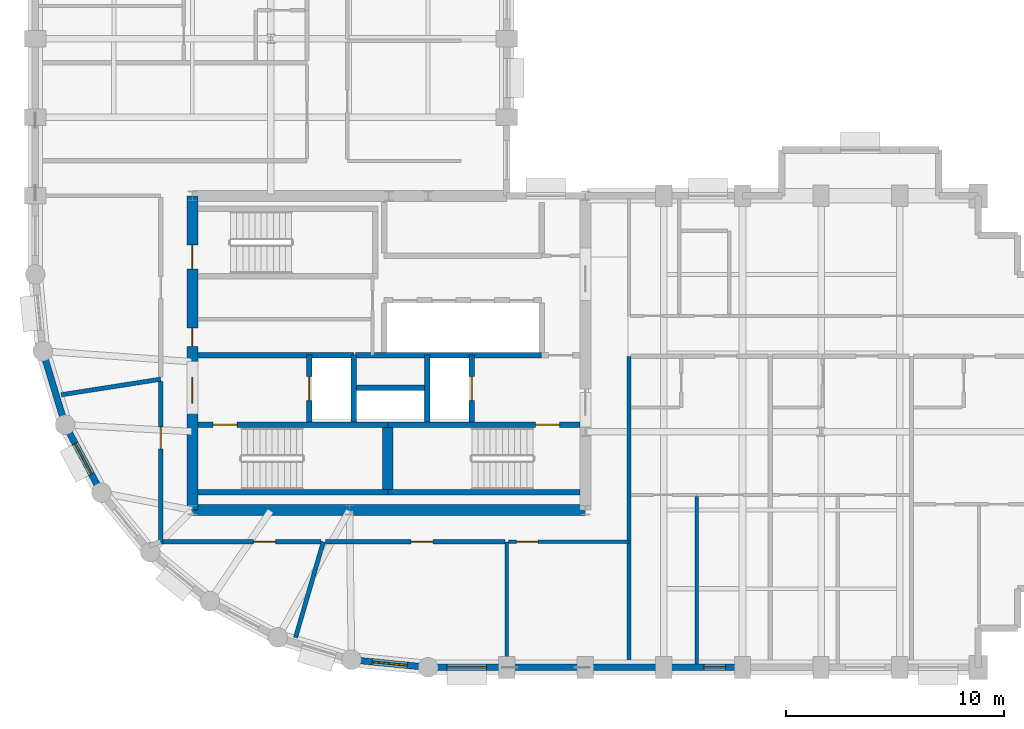
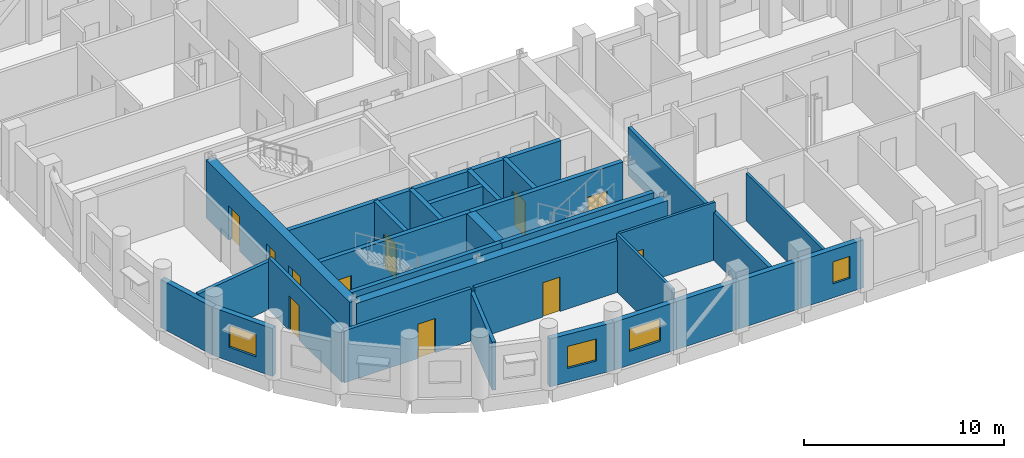
# One storey, part 3 of 9: 30 walls, 11 doors, 4 windows, 15 openings.
"""IFC4 building model written with IfcOpenShell, lengths in metres."""

from ifc_helpers import new_model, si_unit, direction, frame, frame_2d, origin, place, context, subcontext, project, spatial, rectangle, extrude, material, layer, layer_set, type_object, element, fill, save


model = new_model("IFC4")

# Units and contexts
model_context = context("Model", 3, precision=1e-05, world=origin(), true_north=direction((0.0, 1.0)))
body_context = subcontext(model_context, "Body", "Model", "MODEL_VIEW")
ifc_project = project(units=[si_unit("LENGTHUNIT", "METRE"), si_unit("AREAUNIT", "SQUARE_METRE"), si_unit("VOLUMEUNIT", "CUBIC_METRE"), si_unit("PLANEANGLEUNIT", "RADIAN"), si_unit("MASSUNIT", "GRAM", prefix="KILO")], contexts=[model_context])

# Site, building, storey
site_placement = place(None, origin())
site = spatial("IfcSite", under=ifc_project, at=site_placement, CompositionType="ELEMENT")
building_placement = place(site_placement, origin())
building = spatial("IfcBuilding", under=site, at=building_placement, Name="Solnavia Interchange Tower", CompositionType="ELEMENT")
storey_placement = place(building_placement, frame((0.0, 0.0, 142.800048828125)))
storey = spatial("IfcBuildingStorey", under=building, at=storey_placement, Name="L35", CompositionType="ELEMENT", Elevation=142.800048828125)

# Walls
ifc_material_1 = material(Name="Gypsum Acoustic Twin-Stud & Mineral Wool", Category="gypsum")
ifc_layer_1 = layer(ifc_material_1, 0.199951171875)
ifc_layer_set_1 = layer_set([ifc_layer_1], Name="Gypsum Acoustic Twin-Stud & Mineral Wool")
wall_type_1 = type_object("IfcWallType", Name="Wall-ApartmentParty-200", PredefinedType="PARTITIONING", material=ifc_layer_set_1)
wall_1_placement = place(storey_placement, frame((12.949951171875, 16.800048828125, 0.0), z_axis=(0.0, 0.0, 1.0), x_axis=(-0.987973652082, -0.154622323068, 0.0)))
element("IfcWall", 1, at=wall_1_placement, inside=storey, type_object=wall_type_1, Name="PTW-L35-09 Interior partition wall", PredefinedType="PARTITIONING", context=body_context, shape_type="SweptSolid", body=[
    extrude(rectangle(XDim=4.612060546875, YDim=0.199951171875, at=frame_2d((2.30615234375, 0.0))), origin(), (0.0, 0.0, 1.0), 2.929931640625),
])
wall_2_placement = place(storey_placement, frame((20.39990234375, 9.35009765625, 0.0), z_axis=(0.0, 0.0, 1.0), x_axis=(-0.279158408615, -0.960245063981, 0.0)))
element("IfcWall", 2, at=wall_2_placement, inside=storey, type_object=wall_type_1, Name="PTW-L35-11 Interior partition wall", PredefinedType="PARTITIONING", context=body_context, shape_type="SweptSolid", body=[
    extrude(rectangle(XDim=4.56787109375, YDim=0.199951171875, at=frame_2d((2.283935546875, 0.0))), origin(), (0.0, 0.0, 1.0), 2.929931640625),
])

# Wall, opening, door
wall_3_placement = place(storey_placement, frame((12.949951171875, 9.35009765625, 0.0), z_axis=(0.0, 0.0, 1.0), x_axis=(0.0, 1.0, 0.0)))
wall_3 = element("IfcWall", 3, at=wall_3_placement, inside=storey, type_object=wall_type_1, Name="PTW-L35-13 Interior partition wall", PredefinedType="PARTITIONING", context=body_context, shape_type="SweptSolid", body=[
    extrude(rectangle(XDim=7.345947265625, YDim=0.199951171875, at=frame_2d((3.6728515625, 0.0))), origin(), (0.0, 0.0, 1.0), 3.169921875),
])
opening_1_placement = place(wall_3_placement, frame((4.260986328125, 0.0, 0.0)))
opening_1 = element("IfcOpeningElement", 4, at=opening_1_placement, cuts=wall_3, Name="Opening DR-07", PredefinedType="OPENING", context=body_context, shape_type="SweptSolid", body=[
    extrude(rectangle(XDim=1.0, YDim=2.10009765625, at=frame_2d((0.5, 1.050048828125))), frame((0.0, 0.10986328125, 0.0), z_axis=(0.0, -1.0, 0.0), x_axis=(1.0, 0.0, 0.0)), (0.0, 0.0, 1.0), 0.219970703125),
])
ifc_material_2 = material(Name="Timber & Acoustic Glazed Office Door", Category="wood")
door_type_1 = type_object("IfcDoorType", Name="Door-Office-1000x2100", OperationType="SINGLE_SWING_RIGHT", PredefinedType="DOOR", material=ifc_material_2)
door_1_placement = place(opening_1_placement, origin())
door_1 = element("IfcDoor", 5, at=door_1_placement, inside=storey, type_object=door_type_1, Name="DR-L35-04 Interior room door", OperationType="SINGLE_SWING_RIGHT", OverallHeight=2.10009765625, OverallWidth=1.0, PredefinedType="DOOR", context=body_context, shape_type="SweptSolid", body=[
    extrude(rectangle(XDim=1.0, YDim=2.10009765625, at=frame_2d((0.5, 1.050048828125))), frame((0.0, 0.02490234375, 0.0), z_axis=(0.0, -1.0, 0.0), x_axis=(1.0, 0.0, 0.0)), (0.0, 0.0, 1.0), 0.050048828125),
])
fill(opening_1, door_1)

wall_4_placement = place(storey_placement, frame((12.949951171875, 9.35009765625, 0.0), z_axis=(0.0, 0.0, 1.0), x_axis=(1.0, 0.0, 0.0)))
wall_4 = element("IfcWall", 6, at=wall_4_placement, inside=storey, type_object=wall_type_1, Name="PTW-L35-14 Interior partition wall", PredefinedType="PARTITIONING", context=body_context, shape_type="SweptSolid", body=[
    extrude(rectangle(XDim=7.345947265625, YDim=0.199951171875, at=frame_2d((3.6728515625, 0.0))), origin(), (0.0, 0.0, 1.0), 3.179931640625),
])
opening_2_placement = place(wall_4_placement, frame((4.260986328125, 0.0, 0.0)))
opening_2 = element("IfcOpeningElement", 7, at=opening_2_placement, cuts=wall_4, Name="Opening DR-07", PredefinedType="OPENING", context=body_context, shape_type="SweptSolid", body=[
    extrude(rectangle(XDim=1.0, YDim=2.10009765625, at=frame_2d((0.5, 1.050048828125))), frame((0.0, 0.10986328125, 0.0), z_axis=(0.0, -1.0, 0.0), x_axis=(1.0, 0.0, 0.0)), (0.0, 0.0, 1.0), 0.219970703125),
])
door_2_placement = place(opening_2_placement, origin())
door_2 = element("IfcDoor", 8, at=door_2_placement, inside=storey, type_object=door_type_1, Name="DR-L35-05 Interior room door", OperationType="SINGLE_SWING_LEFT", OverallHeight=2.10009765625, OverallWidth=1.0, PredefinedType="DOOR", context=body_context, shape_type="SweptSolid", body=[
    extrude(rectangle(XDim=1.0, YDim=2.10009765625, at=frame_2d((0.5, 1.050048828125))), frame((0.0, 0.02490234375, 0.0), z_axis=(0.0, -1.0, 0.0), x_axis=(1.0, 0.0, 0.0)), (0.0, 0.0, 1.0), 0.050048828125),
])
fill(opening_2, door_2)

wall_5_placement = place(storey_placement, frame((20.50390625, 9.35009765625, 0.0), z_axis=(0.0, 0.0, 1.0), x_axis=(1.0, 0.0, 0.0)))
wall_5 = element("IfcWall", 9, at=wall_5_placement, inside=storey, type_object=wall_type_1, Name="PTW-L35-15 Interior partition wall", PredefinedType="PARTITIONING", context=body_context, shape_type="SweptSolid", body=[
    extrude(rectangle(XDim=8.217041015625, YDim=0.199951171875, at=frame_2d((4.1083984375, 0.0))), origin(), (0.0, 0.0, 1.0), 3.169921875),
])
opening_3_placement = place(wall_5_placement, frame((3.9140625, 0.0, 0.0)))
opening_3 = element("IfcOpeningElement", 10, at=opening_3_placement, cuts=wall_5, Name="Opening DR-07", PredefinedType="OPENING", context=body_context, shape_type="SweptSolid", body=[
    extrude(rectangle(XDim=1.0, YDim=2.10009765625, at=frame_2d((0.5, 1.050048828125))), frame((0.0, 0.10986328125, 0.0), z_axis=(0.0, -1.0, 0.0), x_axis=(1.0, 0.0, 0.0)), (0.0, 0.0, 1.0), 0.219970703125),
])
door_3_placement = place(opening_3_placement, origin())
door_3 = element("IfcDoor", 11, at=door_3_placement, inside=storey, type_object=door_type_1, Name="DR-L35-06 Interior room door", OperationType="SINGLE_SWING_RIGHT", OverallHeight=2.10009765625, OverallWidth=1.0, PredefinedType="DOOR", context=body_context, shape_type="SweptSolid", body=[
    extrude(rectangle(XDim=1.0, YDim=2.10009765625, at=frame_2d((0.5, 1.050048828125))), frame((0.0, 0.02490234375, 0.0), z_axis=(0.0, -1.0, 0.0), x_axis=(1.0, 0.0, 0.0)), (0.0, 0.0, 1.0), 0.050048828125),
])
fill(opening_3, door_3)

# Wall
wall_6_placement = place(storey_placement, frame((34.39990234375, 3.75390625, 0.0), z_axis=(0.0, 0.0, 1.0), x_axis=(0.0, 1.0, 0.0)))
element("IfcWall", 12, at=wall_6_placement, inside=storey, type_object=wall_type_1, Name="PTW-L35-17 Interior partition wall", PredefinedType="PARTITIONING", context=body_context, shape_type="SweptSolid", body=[
    extrude(rectangle(XDim=14.09619140625, YDim=0.199951171875, at=frame_2d((7.048095703125, 0.0))), origin(), (0.0, 0.0, 1.0), 2.929931640625),
])

# Wall, opening, window
ifc_material_3 = material(Name="Concrete C40/50", Category="concrete")
ifc_layer_2 = layer(ifc_material_3, 0.300048828125)
ifc_layer_set_2 = layer_set([ifc_layer_2], Name="Concrete C40/50")
wall_type_2 = type_object("IfcWallType", Name="Wall-ExtSpandrel-300", PredefinedType="STANDARD", material=ifc_layer_set_2)
wall_7_placement = place(storey_placement, frame((28.800048828125, 3.60009765625, 0.0), z_axis=(0.0, 0.0, 1.0), x_axis=(-1.0, 0.0, 0.0)))
wall_7 = element("IfcWall", 13, at=wall_7_placement, inside=storey, type_object=wall_type_2, Name="EXW-L35-01 Exterior precast spandrel wall", PredefinedType="STANDARD", context=body_context, shape_type="SweptSolid", body=[
    extrude(rectangle(XDim=3.60009765625, YDim=0.300048828125, at=frame_2d((1.800048828125, 0.0))), origin(), (0.0, 0.0, 1.0), 2.929931640625),
])
opening_4_placement = place(wall_7_placement, frame((0.925048828125, 0.0, 0.85009765625)))
opening_4 = element("IfcOpeningElement", 14, at=opening_4_placement, cuts=wall_7, Name="Opening WIN-02", PredefinedType="OPENING", context=body_context, shape_type="SweptSolid", body=[
    extrude(rectangle(XDim=1.800048828125, YDim=1.35009765625, at=frame_2d((0.89990234375, 0.675048828125))), frame((0.0, 0.16015625, 0.0), z_axis=(0.0, -1.0, 0.0), x_axis=(1.0, 0.0, 0.0)), (0.0, 0.0, 1.0), 0.320068359375),
])
ifc_material_4 = material(Name="Thermal-Break Aluminium & Low-E Glass", Category="aluminium")
window_type_1 = type_object("IfcWindowType", Name="Window-Ribbon-1800x1350", PartitioningType="SINGLE_PANEL", PredefinedType="WINDOW", material=ifc_material_4)
window_1_placement = place(opening_4_placement, origin())
window_1 = element("IfcWindow", 15, at=window_1_placement, inside=storey, type_object=window_type_1, Name="WIN-L35-01 Facade ribbon window", OverallHeight=1.35009765625, OverallWidth=1.800048828125, PartitioningType="SINGLE_PANEL", PredefinedType="WINDOW", context=body_context, shape_type="SweptSolid", body=[
    extrude(rectangle(XDim=1.800048828125, YDim=1.35009765625, at=frame_2d((0.89990234375, 0.675048828125))), frame((0.0, 0.030029296875, 0.0), z_axis=(0.0, -1.0, 0.0), x_axis=(1.0, 0.0, 0.0)), (0.0, 0.0, 1.0), 0.06005859375),
])
fill(opening_4, window_1)

# Walls
wall_8_placement = place(storey_placement, frame((32.39990234375, 3.60009765625, 0.0), z_axis=(0.0, 0.0, 1.0), x_axis=(-1.0, 0.0, 0.0)))
element("IfcWall", 16, at=wall_8_placement, inside=storey, type_object=wall_type_2, Name="EXW-L35-02 Exterior precast spandrel wall", PredefinedType="STANDARD", context=body_context, shape_type="SweptSolid", body=[
    extrude(rectangle(XDim=3.599853515625, YDim=0.300048828125, at=frame_2d((1.7998046875, 0.0))), origin(), (0.0, 0.0, 1.0), 2.929931640625),
])
wall_9_placement = place(storey_placement, frame((36.0, 3.60009765625, 0.0), z_axis=(0.0, 0.0, 1.0), x_axis=(-1.0, 0.0, 0.0)))
element("IfcWall", 17, at=wall_9_placement, inside=storey, type_object=wall_type_2, Name="EXW-L35-03 Exterior precast spandrel wall", PredefinedType="STANDARD", context=body_context, shape_type="SweptSolid", body=[
    extrude(rectangle(XDim=3.60009765625, YDim=0.300048828125, at=frame_2d((1.800048828125, 0.0))), origin(), (0.0, 0.0, 1.0), 2.929931640625),
])

# Wall, opening, window
wall_10_placement = place(storey_placement, frame((39.60009765625, 3.60009765625, 0.0), z_axis=(0.0, 0.0, 1.0), x_axis=(-1.0, 0.0, 0.0)))
wall_10 = element("IfcWall", 18, at=wall_10_placement, inside=storey, type_object=wall_type_2, Name="EXW-L35-04 Exterior precast spandrel wall", PredefinedType="STANDARD", context=body_context, shape_type="SweptSolid", body=[
    extrude(rectangle(XDim=3.60009765625, YDim=0.300048828125, at=frame_2d((1.800048828125, 0.0))), origin(), (0.0, 0.0, 1.0), 2.929931640625),
])
opening_5_placement = place(wall_10_placement, frame((0.76904296875, 0.0, 0.85009765625)))
opening_5 = element("IfcOpeningElement", 19, at=opening_5_placement, cuts=wall_10, Name="Opening WIN-07", PredefinedType="OPENING", context=body_context, shape_type="SweptSolid", body=[
    extrude(rectangle(XDim=1.0, YDim=1.35009765625, at=frame_2d((0.5, 0.675048828125))), frame((0.0, 0.16015625, 0.0), z_axis=(0.0, -1.0, 0.0), x_axis=(1.0, 0.0, 0.0)), (0.0, 0.0, 1.0), 0.320068359375),
])
window_type_2 = type_object("IfcWindowType", Name="Window-Bedroom-1000x1350", PartitioningType="SINGLE_PANEL", PredefinedType="WINDOW", material=ifc_material_4)
window_2_placement = place(opening_5_placement, origin())
window_2 = element("IfcWindow", 20, at=window_2_placement, inside=storey, type_object=window_type_2, Name="WIN-L35-DW01 Dwelling bedroom window", OverallHeight=1.35009765625, OverallWidth=1.0, PartitioningType="SINGLE_PANEL", PredefinedType="WINDOW", context=body_context, shape_type="SweptSolid", body=[
    extrude(rectangle(XDim=1.0, YDim=1.35009765625, at=frame_2d((0.5, 0.675048828125))), frame((0.0, 0.030029296875, 0.0), z_axis=(0.0, -1.0, 0.0), x_axis=(1.0, 0.0, 0.0)), (0.0, 0.0, 1.0), 0.06005859375),
])
fill(opening_5, window_2)

# Wall
wall_11_placement = place(storey_placement, frame((8.570068359375, 14.7119140625, 0.0), z_axis=(0.0, 0.0, 1.0), x_axis=(-0.290305086481, 0.956934144423, 0.0)))
element("IfcWall", 21, at=wall_11_placement, inside=storey, type_object=wall_type_2, Name="EXW-L35-52 Exterior precast spandrel wall", PredefinedType="STANDARD", context=body_context, shape_type="SweptSolid", body=[
    extrude(rectangle(XDim=3.52783203125, YDim=0.300048828125, at=frame_2d((1.763916015625, 0.0))), origin(), (0.0, 0.0, 1.0), 2.929931640625),
])

# Wall, opening, window
wall_12_placement = place(storey_placement, frame((10.23388671875, 11.60009765625, 0.0), z_axis=(0.0, 0.0, 1.0), x_axis=(-0.47151087309, 0.881860247748, 0.0)))
wall_12 = element("IfcWall", 22, at=wall_12_placement, inside=storey, type_object=wall_type_2, Name="EXW-L35-53 Exterior precast spandrel wall", PredefinedType="STANDARD", context=body_context, shape_type="SweptSolid", body=[
    extrude(rectangle(XDim=3.52880859375, YDim=0.300048828125, at=frame_2d((1.764404296875, 0.0))), origin(), (0.0, 0.0, 1.0), 2.929931640625),
])
opening_6_placement = place(wall_12_placement, frame((0.964111328125, 0.0, 0.85009765625)))
opening_6 = element("IfcOpeningElement", 23, at=opening_6_placement, cuts=wall_12, Name="Opening WIN-04", PredefinedType="OPENING", context=body_context, shape_type="SweptSolid", body=[
    extrude(rectangle(XDim=1.60009765625, YDim=1.35009765625, at=frame_2d((0.800048828125, 0.675048828125))), frame((0.0, 0.16015625, 0.0), z_axis=(0.0, -1.0, 0.0), x_axis=(1.0, 0.0, 0.0)), (0.0, 0.0, 1.0), 0.320068359375),
])
window_type_3 = type_object("IfcWindowType", Name="Window-Drum-1600x1350", PartitioningType="SINGLE_PANEL", PredefinedType="WINDOW", material=ifc_material_4)
window_3_placement = place(opening_6_placement, origin())
window_3 = element("IfcWindow", 24, at=window_3_placement, inside=storey, type_object=window_type_3, Name="WIN-L35-53 Facade ribbon window", OverallHeight=1.35009765625, OverallWidth=1.60009765625, PartitioningType="SINGLE_PANEL", PredefinedType="WINDOW", context=body_context, shape_type="SweptSolid", body=[
    extrude(rectangle(XDim=1.60009765625, YDim=1.35009765625, at=frame_2d((0.800048828125, 0.675048828125))), frame((0.0, 0.030029296875, 0.0), z_axis=(0.0, -1.0, 0.0), x_axis=(1.0, 0.0, 0.0)), (0.0, 0.0, 1.0), 0.06005859375),
])
fill(opening_6, window_3)

wall_13_placement = place(storey_placement, frame((25.199951171875, 3.60009765625, 0.0), z_axis=(0.0, 0.0, 1.0), x_axis=(-0.995183369056, 0.098030923459, 0.0)))
wall_13 = element("IfcWall", 25, at=wall_13_placement, inside=storey, type_object=wall_type_2, Name="EXW-L35-58 Exterior precast spandrel wall", PredefinedType="STANDARD", context=body_context, shape_type="SweptSolid", body=[
    extrude(rectangle(XDim=3.529052734375, YDim=0.300048828125, at=frame_2d((1.7646484375, 0.0))), origin(), (0.0, 0.0, 1.0), 2.929931640625),
])
opening_7_placement = place(wall_13_placement, frame((0.965087890625, 0.0, 0.85009765625)))
opening_7 = element("IfcOpeningElement", 26, at=opening_7_placement, cuts=wall_13, Name="Opening WIN-04", PredefinedType="OPENING", context=body_context, shape_type="SweptSolid", body=[
    extrude(rectangle(XDim=1.60009765625, YDim=1.35009765625, at=frame_2d((0.800048828125, 0.675048828125))), frame((0.0, 0.16015625, 0.0), z_axis=(0.0, -1.0, 0.0), x_axis=(1.0, 0.0, 0.0)), (0.0, 0.0, 1.0), 0.320068359375),
])
window_4_placement = place(opening_7_placement, origin())
window_4 = element("IfcWindow", 27, at=window_4_placement, inside=storey, type_object=window_type_3, Name="WIN-L35-58 Facade ribbon window", OverallHeight=1.35009765625, OverallWidth=1.60009765625, PartitioningType="SINGLE_PANEL", PredefinedType="WINDOW", context=body_context, shape_type="SweptSolid", body=[
    extrude(rectangle(XDim=1.60009765625, YDim=1.35009765625, at=frame_2d((0.800048828125, 0.675048828125))), frame((0.0, 0.030029296875, 0.0), z_axis=(0.0, -1.0, 0.0), x_axis=(1.0, 0.0, 0.0)), (0.0, 0.0, 1.0), 0.06005859375),
])
fill(opening_7, window_4)

# Wall
ifc_material_5 = material(Name="Gypsum Plasterboard & Steel Stud", Category="steel")
ifc_layer_3 = layer(ifc_material_5, 0.14990234375)
ifc_layer_set_3 = layer_set([ifc_layer_3], Name="Gypsum Plasterboard & Steel Stud")
wall_type_3 = type_object("IfcWallType", Name="Wall-Partition-150", PredefinedType="PARTITIONING", material=ifc_layer_set_3)
wall_14_placement = place(storey_placement, frame((28.800048828125, 9.35009765625, 0.0), z_axis=(0.0, 0.0, 1.0), x_axis=(0.0, -1.0, 0.0)))
element("IfcWall", 28, at=wall_14_placement, inside=storey, type_object=wall_type_3, Name="PTW-L35-08 Interior partition wall", PredefinedType="PARTITIONING", context=body_context, shape_type="SweptSolid", body=[
    extrude(rectangle(XDim=5.59619140625, YDim=0.14990234375, at=frame_2d((2.798095703125, 0.0))), origin(), (0.0, 0.0, 1.0), 3.534912109375),
])

# Wall, opening, door
wall_15_placement = place(storey_placement, frame((28.87890625, 9.35009765625, 0.0), z_axis=(0.0, 0.0, 1.0), x_axis=(1.0, 0.0, 0.0)))
wall_15 = element("IfcWall", 29, at=wall_15_placement, inside=storey, type_object=wall_type_3, Name="PTW-L35-16 Interior partition wall", PredefinedType="PARTITIONING", context=body_context, shape_type="SweptSolid", body=[
    extrude(rectangle(XDim=5.52099609375, YDim=0.14990234375, at=frame_2d((2.760498046875, 0.0))), origin(), (0.0, 0.0, 1.0), 3.534912109375),
])
opening_8_placement = place(wall_15_placement, frame((0.360107421875, 0.0, 0.0)))
opening_8 = element("IfcOpeningElement", 30, at=opening_8_placement, cuts=wall_15, Name="Opening DR-07", PredefinedType="OPENING", context=body_context, shape_type="SweptSolid", body=[
    extrude(rectangle(XDim=1.0, YDim=2.10009765625, at=frame_2d((0.5, 1.050048828125))), frame((0.0, 0.0849609375, 0.0), z_axis=(0.0, -1.0, 0.0), x_axis=(1.0, 0.0, 0.0)), (0.0, 0.0, 1.0), 0.169921875),
])
door_4_placement = place(opening_8_placement, origin())
door_4 = element("IfcDoor", 31, at=door_4_placement, inside=storey, type_object=door_type_1, Name="DR-L35-07 Interior room door", OperationType="SINGLE_SWING_LEFT", OverallHeight=2.10009765625, OverallWidth=1.0, PredefinedType="DOOR", context=body_context, shape_type="SweptSolid", body=[
    extrude(rectangle(XDim=1.0, YDim=2.10009765625, at=frame_2d((0.5, 1.050048828125))), frame((0.0, 0.02490234375, 0.0), z_axis=(0.0, -1.0, 0.0), x_axis=(1.0, 0.0, 0.0)), (0.0, 0.0, 1.0), 0.050048828125),
])
fill(opening_8, door_4)

# Wall
ifc_layer_4 = layer(ifc_material_3, 0.25)
ifc_layer_set_4 = layer_set([ifc_layer_4], Name="Concrete C40/50")
wall_type_4 = type_object("IfcWallType", Name="Wall-ShaftCore-250", PredefinedType="SHEAR", material=ifc_layer_set_4)
wall_16_placement = place(storey_placement, frame((14.64990234375, 11.625, 0.0), z_axis=(0.0, 0.0, 1.0), x_axis=(1.0, 0.0, 0.0)))
element("IfcWall", 32, at=wall_16_placement, inside=storey, type_object=wall_type_4, Name="SHW-L35-ST1S Core shear wall", PredefinedType="SHEAR", context=body_context, shape_type="SweptSolid", body=[
    extrude(rectangle(XDim=8.7001953125, YDim=0.25, at=frame_2d((4.35009765625, 0.0))), origin(), (0.0, 0.0, 1.0), 3.550048828125),
])

# Wall, opening, door
wall_17_placement = place(storey_placement, frame((14.64990234375, 14.715087890625, 0.0), z_axis=(0.0, 0.0, 1.0), x_axis=(1.0, 0.0, 0.0)))
wall_17 = element("IfcWall", 33, at=wall_17_placement, inside=storey, type_object=wall_type_4, Name="SHW-L35-ST1N Core shear wall", PredefinedType="SHEAR", context=body_context, shape_type="SweptSolid", body=[
    extrude(rectangle(XDim=8.7001953125, YDim=0.25, at=frame_2d((4.35009765625, 0.0))), origin(), (0.0, 0.0, 1.0), 3.550048828125),
])
opening_9_placement = place(wall_17_placement, frame((0.705078125, 0.0, 0.0)))
opening_9 = element("IfcOpeningElement", 34, at=opening_9_placement, cuts=wall_17, Name="Opening DR-01", PredefinedType="OPENING", context=body_context, shape_type="SweptSolid", body=[
    extrude(rectangle(XDim=1.10009765625, YDim=2.10009765625, at=frame_2d((0.550048828125, 1.050048828125))), frame((0.0, 0.135009765625, 0.0), z_axis=(0.0, -1.0, 0.0), x_axis=(1.0, 0.0, 0.0)), (0.0, 0.0, 1.0), 0.27001953125),
])
ifc_material_6 = material(Name="Steel Fire-Rated Leaf & Frame", Category="steel")
door_type_2 = type_object("IfcDoorType", Name="Door-StairFire-1100x2100", OperationType="SINGLE_SWING_LEFT", PredefinedType="DOOR", material=ifc_material_6)
door_5_placement = place(opening_9_placement, origin())
door_5 = element("IfcDoor", 35, at=door_5_placement, inside=storey, type_object=door_type_2, Name="DR-L35-ST1 Core fire door", OperationType="SINGLE_SWING_LEFT", OverallHeight=2.10009765625, OverallWidth=1.10009765625, PredefinedType="DOOR", context=body_context, shape_type="SweptSolid", body=[
    extrude(rectangle(XDim=1.10009765625, YDim=2.10009765625, at=frame_2d((0.550048828125, 1.050048828125))), frame((0.0, 0.02490234375, 0.0), z_axis=(0.0, -1.0, 0.0), x_axis=(1.0, 0.0, 0.0)), (0.0, 0.0, 1.0), 0.050048828125),
])
fill(opening_9, door_5)

# Wall
wall_18_placement = place(storey_placement, frame((23.35009765625, 11.625, 0.0), z_axis=(0.0, 0.0, 1.0), x_axis=(1.0, 0.0, 0.0)))
element("IfcWall", 36, at=wall_18_placement, inside=storey, type_object=wall_type_4, Name="SHW-L35-ST2S Core shear wall", PredefinedType="SHEAR", context=body_context, shape_type="SweptSolid", body=[
    extrude(rectangle(XDim=8.7998046875, YDim=0.25, at=frame_2d((4.39990234375, 0.0))), origin(), (0.0, 0.0, 1.0), 3.550048828125),
])

# Wall, opening, door
wall_19_placement = place(storey_placement, frame((23.35009765625, 14.715087890625, 0.0), z_axis=(0.0, 0.0, 1.0), x_axis=(1.0, 0.0, 0.0)))
wall_19 = element("IfcWall", 37, at=wall_19_placement, inside=storey, type_object=wall_type_4, Name="SHW-L35-ST2N Core shear wall", PredefinedType="SHEAR", context=body_context, shape_type="SweptSolid", body=[
    extrude(rectangle(XDim=8.7998046875, YDim=0.25, at=frame_2d((4.39990234375, 0.0))), origin(), (0.0, 0.0, 1.0), 3.550048828125),
])
opening_10_placement = place(wall_19_placement, frame((6.77490234375, 0.0, 0.0)))
opening_10 = element("IfcOpeningElement", 38, at=opening_10_placement, cuts=wall_19, Name="Opening DR-01", PredefinedType="OPENING", context=body_context, shape_type="SweptSolid", body=[
    extrude(rectangle(XDim=1.10009765625, YDim=2.10009765625, at=frame_2d((0.550048828125, 1.050048828125))), frame((0.0, 0.135009765625, 0.0), z_axis=(0.0, -1.0, 0.0), x_axis=(1.0, 0.0, 0.0)), (0.0, 0.0, 1.0), 0.27001953125),
])
door_6_placement = place(opening_10_placement, origin())
door_6 = element("IfcDoor", 39, at=door_6_placement, inside=storey, type_object=door_type_2, Name="DR-L35-ST2 Core fire door", OperationType="SINGLE_SWING_LEFT", OverallHeight=2.10009765625, OverallWidth=1.10009765625, PredefinedType="DOOR", context=body_context, shape_type="SweptSolid", body=[
    extrude(rectangle(XDim=1.10009765625, YDim=2.10009765625, at=frame_2d((0.550048828125, 1.050048828125))), frame((0.0, 0.02490234375, 0.0), z_axis=(0.0, -1.0, 0.0), x_axis=(1.0, 0.0, 0.0)), (0.0, 0.0, 1.0), 0.050048828125),
])
fill(opening_10, door_6)

# Wall
ifc_layer_5 = layer(ifc_material_3, 0.25)
ifc_layer_set_5 = layer_set([ifc_layer_5], Name="Concrete C40/50")
wall_type_5 = type_object("IfcWallType", Name="Wall-ShaftPart-250", PredefinedType="PARTITIONING", material=ifc_layer_set_5)
wall_20_placement = place(storey_placement, frame((14.64990234375, 17.89990234375, 0.0), z_axis=(0.0, 0.0, 1.0), x_axis=(1.0, 0.0, 0.0)))
element("IfcWall", 40, at=wall_20_placement, inside=storey, type_object=wall_type_5, Name="SHW-L35-FFLW-N Core shaft wall", PredefinedType="PARTITIONING", context=body_context, shape_type="SweptSolid", body=[
    extrude(rectangle(XDim=7.150146484375, YDim=0.25, at=frame_2d((3.5751953125, 0.0))), origin(), (0.0, 0.0, 1.0), 3.534912109375),
])

# Wall, opening, door
wall_21_placement = place(storey_placement, frame((19.75, 14.840087890625, 0.0), z_axis=(0.0, 0.0, 1.0), x_axis=(0.0, 1.0, 0.0)))
wall_21 = element("IfcWall", 41, at=wall_21_placement, inside=storey, type_object=wall_type_5, Name="SHW-L35-FFL1-W Core shaft wall", PredefinedType="PARTITIONING", context=body_context, shape_type="SweptSolid", body=[
    extrude(rectangle(XDim=3.059814453125, YDim=0.25, at=frame_2d((1.52978515625, 0.0))), origin(), (0.0, 0.0, 1.0), 3.534912109375),
])
opening_11_placement = place(wall_21_placement, frame((0.97998046875, 0.0, 0.0)))
opening_11 = element("IfcOpeningElement", 42, at=opening_11_placement, cuts=wall_21, Name="Opening LD-01", PredefinedType="OPENING", context=body_context, shape_type="SweptSolid", body=[
    extrude(rectangle(XDim=1.10009765625, YDim=2.10009765625, at=frame_2d((0.550048828125, 1.050048828125))), frame((0.0, 0.135009765625, 0.0), z_axis=(0.0, -1.0, 0.0), x_axis=(1.0, 0.0, 0.0)), (0.0, 0.0, 1.0), 0.27001953125),
])
ifc_material_7 = material(Name="Brushed Stainless Steel Sliding Door", Category="steel")
door_type_3 = type_object("IfcDoorType", Name="Door-LiftLanding-1100x2100", OperationType="SLIDING_TO_LEFT", PredefinedType="DOOR", material=ifc_material_7)
door_7_placement = place(opening_11_placement, origin())
door_7 = element("IfcDoor", 43, at=door_7_placement, inside=storey, type_object=door_type_3, Name="LD-L35-FFL1 Lift landing sliding door", OperationType="SLIDING_TO_LEFT", OverallHeight=2.10009765625, OverallWidth=1.10009765625, PredefinedType="DOOR", context=body_context, shape_type="SweptSolid", body=[
    extrude(rectangle(XDim=1.10009765625, YDim=2.10009765625, at=frame_2d((0.550048828125, 1.050048828125))), frame((0.0, 0.02490234375, 0.0), z_axis=(0.0, -1.0, 0.0), x_axis=(1.0, 0.0, 0.0)), (0.0, 0.0, 1.0), 0.050048828125),
])
fill(opening_11, door_7)

# Walls
wall_22_placement = place(storey_placement, frame((21.800048828125, 14.840087890625, 0.0), z_axis=(0.0, 0.0, 1.0), x_axis=(0.0, 1.0, 0.0)))
element("IfcWall", 44, at=wall_22_placement, inside=storey, type_object=wall_type_5, Name="SHW-L35-FFL1-E Core shaft wall", PredefinedType="PARTITIONING", context=body_context, shape_type="SweptSolid", body=[
    extrude(rectangle(XDim=3.059814453125, YDim=0.25, at=frame_2d((1.52978515625, 0.0))), origin(), (0.0, 0.0, 1.0), 3.534912109375),
])
wall_23_placement = place(storey_placement, frame((21.8798828125, 17.89990234375, 0.0), z_axis=(0.0, 0.0, 1.0), x_axis=(1.0, 0.0, 0.0)))
element("IfcWall", 45, at=wall_23_placement, inside=storey, type_object=wall_type_5, Name="SHW-L35-FFLE-N1 Core shaft wall", PredefinedType="PARTITIONING", context=body_context, shape_type="SweptSolid", body=[
    extrude(rectangle(XDim=8.52001953125, YDim=0.25, at=frame_2d((4.260009765625, 0.0))), origin(), (0.0, 0.0, 1.0), 3.534912109375),
])
wall_24_placement = place(storey_placement, frame((25.14990234375, 14.840087890625, 0.0), z_axis=(0.0, 0.0, 1.0), x_axis=(0.0, 1.0, 0.0)))
element("IfcWall", 46, at=wall_24_placement, inside=storey, type_object=wall_type_5, Name="SHW-L35-FFL2-W Core shaft wall", PredefinedType="PARTITIONING", context=body_context, shape_type="SweptSolid", body=[
    extrude(rectangle(XDim=3.059814453125, YDim=0.25, at=frame_2d((1.52978515625, 0.0))), origin(), (0.0, 0.0, 1.0), 3.534912109375),
])

# Wall, opening, door
wall_25_placement = place(storey_placement, frame((27.199951171875, 14.840087890625, 0.0), z_axis=(0.0, 0.0, 1.0), x_axis=(0.0, 1.0, 0.0)))
wall_25 = element("IfcWall", 47, at=wall_25_placement, inside=storey, type_object=wall_type_5, Name="SHW-L35-FFL2-E Core shaft wall", PredefinedType="PARTITIONING", context=body_context, shape_type="SweptSolid", body=[
    extrude(rectangle(XDim=3.059814453125, YDim=0.25, at=frame_2d((1.52978515625, 0.0))), origin(), (0.0, 0.0, 1.0), 3.534912109375),
])
opening_12_placement = place(wall_25_placement, frame((0.97998046875, 0.0, 0.0)))
opening_12 = element("IfcOpeningElement", 48, at=opening_12_placement, cuts=wall_25, Name="Opening LD-01", PredefinedType="OPENING", context=body_context, shape_type="SweptSolid", body=[
    extrude(rectangle(XDim=1.10009765625, YDim=2.10009765625, at=frame_2d((0.550048828125, 1.050048828125))), frame((0.0, 0.135009765625, 0.0), z_axis=(0.0, -1.0, 0.0), x_axis=(1.0, 0.0, 0.0)), (0.0, 0.0, 1.0), 0.27001953125),
])
door_8_placement = place(opening_12_placement, origin())
door_8 = element("IfcDoor", 49, at=door_8_placement, inside=storey, type_object=door_type_3, Name="LD-L35-FFL2 Lift landing sliding door", OperationType="SLIDING_TO_LEFT", OverallHeight=2.10009765625, OverallWidth=1.10009765625, PredefinedType="DOOR", context=body_context, shape_type="SweptSolid", body=[
    extrude(rectangle(XDim=1.10009765625, YDim=2.10009765625, at=frame_2d((0.550048828125, 1.050048828125))), frame((0.0, 0.02490234375, 0.0), z_axis=(0.0, -1.0, 0.0), x_axis=(1.0, 0.0, 0.0)), (0.0, 0.0, 1.0), 0.050048828125),
])
fill(opening_12, door_8)

# Walls
wall_26_placement = place(storey_placement, frame((21.800048828125, 16.39990234375, 0.0), z_axis=(0.0, 0.0, 1.0), x_axis=(1.0, 0.0, 0.0)))
element("IfcWall", 50, at=wall_26_placement, inside=storey, type_object=wall_type_5, Name="SHW-L35-MEP-N Core shaft wall", PredefinedType="PARTITIONING", context=body_context, shape_type="SweptSolid", body=[
    extrude(rectangle(XDim=3.349853515625, YDim=0.25, at=frame_2d((1.6748046875, 0.0))), origin(), (0.0, 0.0, 1.0), 3.534912109375),
])
ifc_material_8 = material(Name="Concrete C60/75", Category="concrete")
ifc_layer_6 = layer(ifc_material_8, 0.5)
ifc_layer_set_6 = layer_set([ifc_layer_6], Name="Concrete C60/75")
wall_type_6 = type_object("IfcWallType", Name="Wall-ShearCore-500", PredefinedType="SHEAR", material=ifc_layer_set_6)
wall_27_placement = place(storey_placement, frame((14.39990234375, 10.800048828125, 0.0), z_axis=(0.0, 0.0, 1.0), x_axis=(1.0, 0.0, 0.0)))
element("IfcWall", 51, at=wall_27_placement, inside=storey, type_object=wall_type_6, Name="CRW-L35-S Core shear wall", PredefinedType="SHEAR", context=body_context, shape_type="SweptSolid", body=[
    extrude(rectangle(XDim=18.0, YDim=0.5, at=frame_2d((9.0, 0.0))), origin(), (0.0, 0.0, 1.0), 3.550048828125),
])

# Wall, openings, doors
wall_28_placement = place(storey_placement, frame((14.39990234375, 10.800048828125, 0.0), z_axis=(0.0, 0.0, 1.0), x_axis=(0.0, 1.0, 0.0)))
wall_28 = element("IfcWall", 52, at=wall_28_placement, inside=storey, type_object=wall_type_6, Name="CRW-L35-W Core shear wall", PredefinedType="SHEAR", context=body_context, shape_type="SweptSolid", body=[
    extrude(rectangle(XDim=14.39990234375, YDim=0.5, at=frame_2d((7.199951171875, 0.0))), origin(), (0.0, 0.0, 1.0), 3.550048828125),
])
opening_13_placement = place(wall_28_placement, frame((11.050048828125, 0.0, 0.0)))
opening_13 = element("IfcOpeningElement", 53, at=opening_13_placement, cuts=wall_28, Name="Opening DR-01", PredefinedType="OPENING", context=body_context, shape_type="SweptSolid", body=[
    extrude(rectangle(XDim=1.10009765625, YDim=2.10009765625, at=frame_2d((0.550048828125, 1.050048828125))), frame((0.0, 0.260009765625, 0.0), z_axis=(0.0, -1.0, 0.0), x_axis=(1.0, 0.0, 0.0)), (0.0, 0.0, 1.0), 0.52001953125),
])
opening_14_placement = place(wall_28_placement, frame((4.89990234375, 0.0, 0.0)))
opening_14 = element("IfcOpeningElement", 54, at=opening_14_placement, cuts=wall_28, Name="Opening DR-02", PredefinedType="OPENING", context=body_context, shape_type="SweptSolid", body=[
    extrude(rectangle(XDim=1.199951171875, YDim=2.10009765625, at=frame_2d((0.60009765625, 1.050048828125))), frame((0.0, 0.260009765625, 0.0), z_axis=(0.0, -1.0, 0.0), x_axis=(1.0, 0.0, 0.0)), (0.0, 0.0, 1.0), 0.52001953125),
])
opening_15_placement = place(wall_28_placement, frame((7.5, 0.0, 0.0)))
opening_15 = element("IfcOpeningElement", 55, at=opening_15_placement, cuts=wall_28, Name="Opening DR-10", PredefinedType="OPENING", context=body_context, shape_type="SweptSolid", body=[
    extrude(rectangle(XDim=0.85009765625, YDim=2.10009765625, at=frame_2d((0.425048828125, 1.050048828125))), frame((0.0, 0.260009765625, 0.0), z_axis=(0.0, -1.0, 0.0), x_axis=(1.0, 0.0, 0.0)), (0.0, 0.0, 1.0), 0.52001953125),
])
ifc_material_9 = material(Name="Moisture-Resistant Timber Door", Category="wood")
door_type_4 = type_object("IfcDoorType", Name="Door-Bathroom-850x2100", OperationType="SINGLE_SWING_RIGHT", PredefinedType="DOOR", material=ifc_material_9)
door_9_placement = place(opening_15_placement, origin())
door_9 = element("IfcDoor", 56, at=door_9_placement, inside=storey, type_object=door_type_4, Name="DR-L35-CS1 Core fire door", OperationType="SINGLE_SWING_RIGHT", OverallHeight=2.10009765625, OverallWidth=0.85009765625, PredefinedType="DOOR", context=body_context, shape_type="SweptSolid", body=[
    extrude(rectangle(XDim=0.85009765625, YDim=2.10009765625, at=frame_2d((0.425048828125, 1.050048828125))), frame((0.0, 0.02490234375, 0.0), z_axis=(0.0, -1.0, 0.0), x_axis=(1.0, 0.0, 0.0)), (0.0, 0.0, 1.0), 0.050048828125),
])
fill(opening_15, door_9)
ifc_material_10 = material(Name="Steel Fire-Rated Vision-Panel Door", Category="steel")
door_type_5 = type_object("IfcDoorType", Name="Door-LobbyFire-1200x2100", OperationType="SINGLE_SWING_RIGHT", PredefinedType="DOOR", material=ifc_material_10)
door_10_placement = place(opening_14_placement, origin())
door_10 = element("IfcDoor", 57, at=door_10_placement, inside=storey, type_object=door_type_5, Name="DR-L35-FFL1W Core fire door", OperationType="SINGLE_SWING_RIGHT", OverallHeight=2.10009765625, OverallWidth=1.199951171875, PredefinedType="DOOR", context=body_context, shape_type="SweptSolid", body=[
    extrude(rectangle(XDim=1.199951171875, YDim=2.10009765625, at=frame_2d((0.60009765625, 1.050048828125))), frame((0.0, 0.02490234375, 0.0), z_axis=(0.0, -1.0, 0.0), x_axis=(1.0, 0.0, 0.0)), (0.0, 0.0, 1.0), 0.050048828125),
])
fill(opening_14, door_10)
door_11_placement = place(opening_13_placement, origin())
door_11 = element("IfcDoor", 58, at=door_11_placement, inside=storey, type_object=door_type_2, Name="DR-L35-ST3 Core fire door", OperationType="SINGLE_SWING_RIGHT", OverallHeight=2.10009765625, OverallWidth=1.10009765625, PredefinedType="DOOR", context=body_context, shape_type="SweptSolid", body=[
    extrude(rectangle(XDim=1.10009765625, YDim=2.10009765625, at=frame_2d((0.550048828125, 1.050048828125))), frame((0.0, 0.02490234375, 0.0), z_axis=(0.0, -1.0, 0.0), x_axis=(1.0, 0.0, 0.0)), (0.0, 0.0, 1.0), 0.050048828125),
])
fill(opening_13, door_11)

# Walls
wall_29_placement = place(storey_placement, frame((23.35009765625, 11.75, 0.0), z_axis=(0.0, 0.0, 1.0), x_axis=(0.0, 1.0, 0.0)))
element("IfcWall", 59, at=wall_29_placement, inside=storey, type_object=wall_type_6, Name="SHW-L35-ST12M Core shear wall", PredefinedType="SHEAR", context=body_context, shape_type="SweptSolid", body=[
    extrude(rectangle(XDim=2.840087890625, YDim=0.5, at=frame_2d((1.419921875, 0.0))), origin(), (0.0, 0.0, 1.0), 3.550048828125),
])
ifc_material_11 = material(Name="Moisture-Resistant Gypsum & Steel Stud", Category="steel")
ifc_layer_7 = layer(ifc_material_11, 0.14990234375)
ifc_layer_set_7 = layer_set([ifc_layer_7], Name="Moisture-Resistant Gypsum & Steel Stud")
wall_type_7 = type_object("IfcWallType", Name="Wall-WetRoom-150", PredefinedType="PARTITIONING", material=ifc_layer_set_7)
wall_30_placement = place(storey_placement, frame((37.5, 3.75390625, 0.0), z_axis=(0.0, 0.0, 1.0), x_axis=(0.0, 1.0, 0.0)))
element("IfcWall", 60, at=wall_30_placement, inside=storey, type_object=wall_type_7, Name="PTW-L35-25 Interior partition wall", PredefinedType="PARTITIONING", context=body_context, shape_type="SweptSolid", body=[
    extrude(rectangle(XDim=7.6669921875, YDim=0.14990234375, at=frame_2d((3.83349609375, 0.0))), origin(), (0.0, 0.0, 1.0), 2.929931640625),
])

save(model, "model.ifc")
